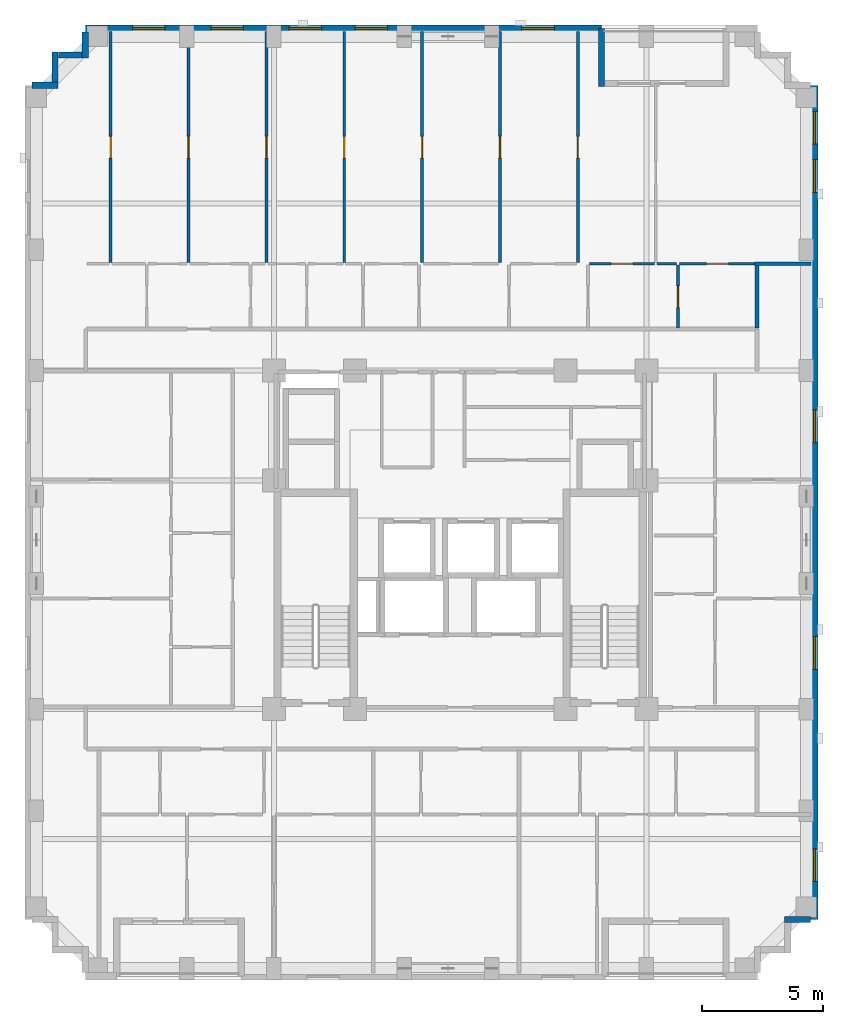
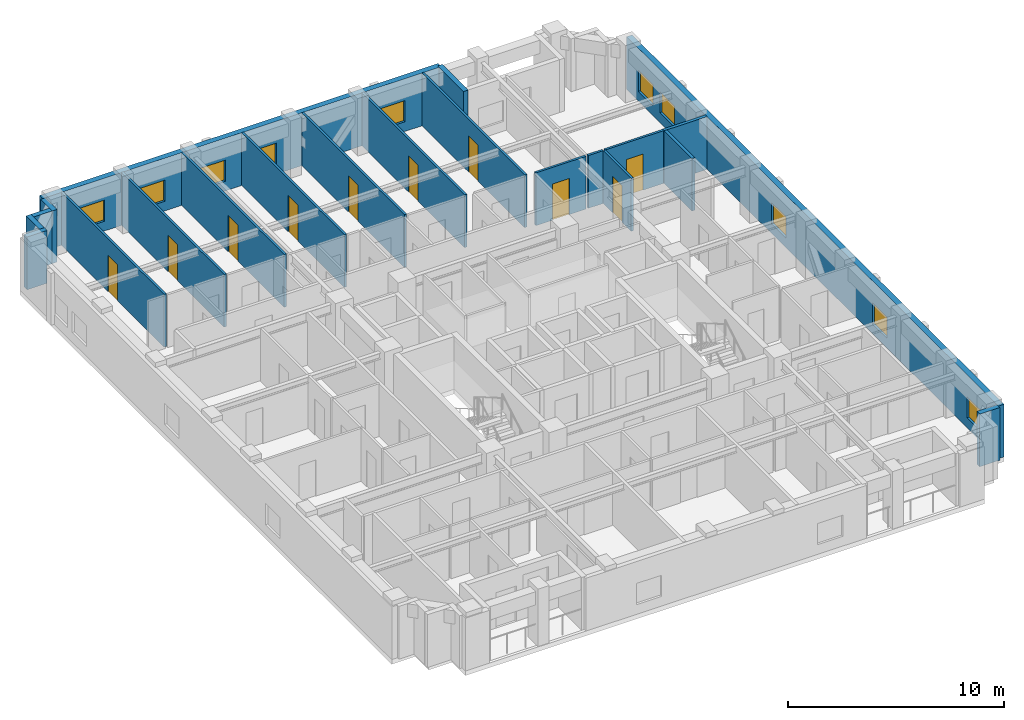
# One storey, part 7 of 11: 21 walls, 10 doors, 10 windows, 20 openings.
"""IFC4 building model written with IfcOpenShell, lengths in metres."""

from ifc_helpers import new_model, si_unit, derived_unit, direction, frame, frame_2d, origin, place, context, subcontext, project, spatial, rectangle, extrude, material, layer, layer_set, type_object, element, fill, save


model = new_model("IFC4")

# Units and contexts
model_context = context("Model", 3, precision=1e-05, world=origin(), true_north=direction((0.0, 1.0)))
body_context = subcontext(model_context, "Body", "Model", "MODEL_VIEW")
ifc_project = project(units=[si_unit("LENGTHUNIT", "METRE"), si_unit("AREAUNIT", "SQUARE_METRE"), si_unit("VOLUMEUNIT", "CUBIC_METRE"), si_unit("PLANEANGLEUNIT", "RADIAN"), si_unit("MASSUNIT", "GRAM", prefix="KILO"), derived_unit("THERMALTRANSMITTANCEUNIT", [(si_unit("MASSUNIT", "GRAM", prefix="KILO"), 1), (si_unit("TIMEUNIT", "SECOND"), -3), (si_unit("THERMODYNAMICTEMPERATUREUNIT", "KELVIN"), -1)])], contexts=[model_context])

# Site, building, storey
site_placement = place(None, origin())
site = spatial("IfcSite", under=ifc_project, at=site_placement, CompositionType="ELEMENT")
building_placement = place(site_placement, origin())
building = spatial("IfcBuilding", under=site, at=building_placement, Name="Korrvale Station Residences", CompositionType="ELEMENT")
storey_placement = place(building_placement, frame((0.0, 0.0, 156.89990234375)))
storey = spatial("IfcBuildingStorey", under=building, at=storey_placement, Name="L45", CompositionType="ELEMENT", Elevation=156.89990234375)

# Walls
ifc_material_1 = material(Name="Precast concrete C45/55", Category="concrete")
ifc_layer_1 = layer(ifc_material_1, 0.260009765625, Name="Precast concrete C45/55")
ifc_layer_set_1 = layer_set([ifc_layer_1], Name="Precast concrete C45/55")
wall_type_1 = type_object("IfcWallType", Name="WAL-EXT-LOG260", PredefinedType="SOLIDWALL", material=ifc_layer_set_1)
wall_1_placement = place(storey_placement, frame((31.35009765625, 43.139892578125, 0.0), z_axis=(0.0, 0.0, 1.0), x_axis=(0.0, -1.0, 0.0)))
element("IfcWall", 1, at=wall_1_placement, inside=storey, type_object=wall_type_1, Name="L45 Recessed Loggia Wall BAL-L45-N1-L", PredefinedType="SOLIDWALL", context=body_context, shape_type="SweptSolid", body=[
    extrude(rectangle(XDim=2.39990234375, YDim=0.260009765625, at=frame_2d((1.199951171875, 0.0))), origin(), (0.0, 0.0, 1.0), 2.989990234375),
])
wall_2_placement = place(storey_placement, frame((7.802001953125, 40.800048828125, 0.0), z_axis=(0.0, 0.0, 1.0), x_axis=(1.0, 0.0, 0.0)))
element("IfcWall", 2, at=wall_2_placement, inside=storey, type_object=wall_type_1, Name="L45 Serrated Corner Precast Step NW-1", PredefinedType="SOLIDWALL", context=body_context, shape_type="SweptSolid", body=[
    extrude(rectangle(XDim=1.077880859375, YDim=0.260009765625, at=frame_2d((0.5390625, 0.0))), origin(), (0.0, 0.0, 1.0), 2.989990234375),
])
wall_3_placement = place(storey_placement, frame((8.75, 40.931884765625, 0.0), z_axis=(0.0, 0.0, 1.0), x_axis=(0.0, 1.0, 0.0)))
element("IfcWall", 3, at=wall_3_placement, inside=storey, type_object=wall_type_1, Name="L45 Serrated Corner Precast Step NW-2", PredefinedType="SOLIDWALL", context=body_context, shape_type="SweptSolid", body=[
    extrude(rectangle(XDim=1.248046875, YDim=0.260009765625, at=frame_2d((0.6240234375, 0.0))), origin(), (0.0, 0.0, 1.0), 2.989990234375),
])
wall_4_placement = place(storey_placement, frame((8.882080078125, 42.050048828125, 0.0), z_axis=(0.0, 0.0, 1.0), x_axis=(1.0, 0.0, 0.0)))
element("IfcWall", 4, at=wall_4_placement, inside=storey, type_object=wall_type_1, Name="L45 Serrated Corner Precast Step NW-3", PredefinedType="SOLIDWALL", context=body_context, shape_type="SweptSolid", body=[
    extrude(rectangle(XDim=0.98583984375, YDim=0.260009765625, at=frame_2d((0.492919921875, 0.0))), origin(), (0.0, 0.0, 1.0), 2.989990234375),
])
for number, where, z_axis, x_axis, name in (
    (5, (10.0, 41.919921875, 0.0), (0.0, 0.0, 1.0), (0.0, 1.0, 0.0), "L45 Serrated Corner Precast Step NW-4"),
    (6, (39.998046875, 6.300048828125, 0.0), (0.0, 0.0, 1.0), (-1.0, 0.0, 0.0), "L45 Serrated Corner Precast Step SE-1"),
):
    element("IfcWall", number, at=place(storey_placement, frame(where, z_axis=z_axis, x_axis=x_axis)), inside=storey, type_object=wall_type_1, Name=name, PredefinedType="SOLIDWALL", context=body_context, shape_type="SweptSolid", body=[
        extrude(rectangle(XDim=1.078125, YDim=0.260009765625, at=frame_2d((0.5390625, 0.0))), origin(), (0.0, 0.0, 1.0), 2.989990234375),
    ])

# Wall, openings, windows
ifc_layer_2 = layer(ifc_material_1, 0.300048828125, Name="Precast concrete C45/55")
ifc_layer_set_2 = layer_set([ifc_layer_2], Name="Precast concrete C45/55")
wall_type_2 = type_object("IfcWallType", Name="WAL-EXT-PC300", PredefinedType="SOLIDWALL", material=ifc_layer_set_2)
wall_5_placement = place(storey_placement, frame((10.0, 43.14990234375, 0.0), z_axis=(0.0, 0.0, 1.0), x_axis=(1.0, 0.0, 0.0)))
wall_5 = element("IfcWall", 7, at=wall_5_placement, inside=storey, type_object=wall_type_2, Name="L45 North Exterior Precast Wall 1", PredefinedType="SOLIDWALL", context=body_context, shape_type="SweptSolid", body=[
    extrude(rectangle(XDim=21.35009765625, YDim=0.300048828125, at=frame_2d((10.675048828125, 0.0))), origin(), (0.0, 0.0, 1.0), 2.989990234375),
])
opening_1_placement = place(wall_5_placement, frame((1.9560546875, 0.0, 0.550048828125)))
opening_1 = element("IfcOpeningElement", 8, at=opening_1_placement, cuts=wall_5, Name="Opening W-10", PredefinedType="OPENING", context=body_context, shape_type="SweptSolid", body=[
    extrude(rectangle(XDim=1.35009765625, YDim=1.199951171875, at=frame_2d((0.675048828125, 0.60009765625))), frame((0.0, 0.16015625, 0.0), z_axis=(0.0, -1.0, 0.0), x_axis=(1.0, 0.0, 0.0)), (0.0, 0.0, 1.0), 0.320068359375),
])
opening_2_placement = place(wall_5_placement, frame((5.18896484375, 0.0, 0.550048828125)))
opening_2 = element("IfcOpeningElement", 9, at=opening_2_placement, cuts=wall_5, Name="Opening W-10", PredefinedType="OPENING", context=body_context, shape_type="SweptSolid", body=[
    extrude(rectangle(XDim=1.35009765625, YDim=1.199951171875, at=frame_2d((0.675048828125, 0.60009765625))), frame((0.0, 0.16015625, 0.0), z_axis=(0.0, -1.0, 0.0), x_axis=(1.0, 0.0, 0.0)), (0.0, 0.0, 1.0), 0.320068359375),
])
opening_3_placement = place(wall_5_placement, frame((8.4208984375, 0.0, 0.550048828125)))
opening_3 = element("IfcOpeningElement", 10, at=opening_3_placement, cuts=wall_5, Name="Opening W-10", PredefinedType="OPENING", context=body_context, shape_type="SweptSolid", body=[
    extrude(rectangle(XDim=1.35009765625, YDim=1.199951171875, at=frame_2d((0.675048828125, 0.60009765625))), frame((0.0, 0.16015625, 0.0), z_axis=(0.0, -1.0, 0.0), x_axis=(1.0, 0.0, 0.0)), (0.0, 0.0, 1.0), 0.320068359375),
])
opening_4_placement = place(wall_5_placement, frame((11.14990234375, 0.0, 0.550048828125)))
opening_4 = element("IfcOpeningElement", 11, at=opening_4_placement, cuts=wall_5, Name="Opening W-10", PredefinedType="OPENING", context=body_context, shape_type="SweptSolid", body=[
    extrude(rectangle(XDim=1.35009765625, YDim=1.199951171875, at=frame_2d((0.675048828125, 0.60009765625))), frame((0.0, 0.16015625, 0.0), z_axis=(0.0, -1.0, 0.0), x_axis=(1.0, 0.0, 0.0)), (0.0, 0.0, 1.0), 0.320068359375),
])
opening_5_placement = place(wall_5_placement, frame((18.0439453125, 0.0, 0.550048828125)))
opening_5 = element("IfcOpeningElement", 12, at=opening_5_placement, cuts=wall_5, Name="Opening W-10", PredefinedType="OPENING", context=body_context, shape_type="SweptSolid", body=[
    extrude(rectangle(XDim=1.35009765625, YDim=1.199951171875, at=frame_2d((0.675048828125, 0.60009765625))), frame((0.0, 0.16015625, 0.0), z_axis=(0.0, -1.0, 0.0), x_axis=(1.0, 0.0, 0.0)), (0.0, 0.0, 1.0), 0.320068359375),
])
ifc_material_2 = material(Name="Thermally broken aluminium frame with triple low-e glazing", Category="aluminium")
window_type = type_object("IfcWindowType", Name="WIN-W10", PartitioningType="SINGLE_PANEL", PredefinedType="WINDOW", material=ifc_material_2)
window_1_placement = place(opening_1_placement, origin())
window_1 = element("IfcWindow", 13, at=window_1_placement, inside=storey, type_object=window_type, Name="L45 Punched Window 08", OverallHeight=1.199951171875, OverallWidth=1.35009765625, PartitioningType="SINGLE_PANEL", PredefinedType="WINDOW", context=body_context, shape_type="SweptSolid", body=[
    extrude(rectangle(XDim=1.35009765625, YDim=1.199951171875, at=frame_2d((0.675048828125, 0.60009765625))), frame((0.0, 0.030029296875, 0.0), z_axis=(0.0, -1.0, 0.0), x_axis=(1.0, 0.0, 0.0)), (0.0, 0.0, 1.0), 0.06005859375),
])
fill(opening_1, window_1)
window_2_placement = place(opening_2_placement, origin())
window_2 = element("IfcWindow", 14, at=window_2_placement, inside=storey, type_object=window_type, Name="L45 Punched Window 09", OverallHeight=1.199951171875, OverallWidth=1.35009765625, PartitioningType="SINGLE_PANEL", PredefinedType="WINDOW", context=body_context, shape_type="SweptSolid", body=[
    extrude(rectangle(XDim=1.35009765625, YDim=1.199951171875, at=frame_2d((0.675048828125, 0.60009765625))), frame((0.0, 0.030029296875, 0.0), z_axis=(0.0, -1.0, 0.0), x_axis=(1.0, 0.0, 0.0)), (0.0, 0.0, 1.0), 0.06005859375),
])
fill(opening_2, window_2)
window_3_placement = place(opening_3_placement, origin())
window_3 = element("IfcWindow", 15, at=window_3_placement, inside=storey, type_object=window_type, Name="L45 Punched Window 10", OverallHeight=1.199951171875, OverallWidth=1.35009765625, PartitioningType="SINGLE_PANEL", PredefinedType="WINDOW", context=body_context, shape_type="SweptSolid", body=[
    extrude(rectangle(XDim=1.35009765625, YDim=1.199951171875, at=frame_2d((0.675048828125, 0.60009765625))), frame((0.0, 0.030029296875, 0.0), z_axis=(0.0, -1.0, 0.0), x_axis=(1.0, 0.0, 0.0)), (0.0, 0.0, 1.0), 0.06005859375),
])
fill(opening_3, window_3)
window_4_placement = place(opening_4_placement, origin())
window_4 = element("IfcWindow", 16, at=window_4_placement, inside=storey, type_object=window_type, Name="L45 Punched Window 11", OverallHeight=1.199951171875, OverallWidth=1.35009765625, PartitioningType="SINGLE_PANEL", PredefinedType="WINDOW", context=body_context, shape_type="SweptSolid", body=[
    extrude(rectangle(XDim=1.35009765625, YDim=1.199951171875, at=frame_2d((0.675048828125, 0.60009765625))), frame((0.0, 0.030029296875, 0.0), z_axis=(0.0, -1.0, 0.0), x_axis=(1.0, 0.0, 0.0)), (0.0, 0.0, 1.0), 0.06005859375),
])
fill(opening_4, window_4)
window_5_placement = place(opening_5_placement, origin())
window_5 = element("IfcWindow", 17, at=window_5_placement, inside=storey, type_object=window_type, Name="L45 Punched Window 12", OverallHeight=1.199951171875, OverallWidth=1.35009765625, PartitioningType="SINGLE_PANEL", PredefinedType="WINDOW", context=body_context, shape_type="SweptSolid", body=[
    extrude(rectangle(XDim=1.35009765625, YDim=1.199951171875, at=frame_2d((0.675048828125, 0.60009765625))), frame((0.0, 0.030029296875, 0.0), z_axis=(0.0, -1.0, 0.0), x_axis=(1.0, 0.0, 0.0)), (0.0, 0.0, 1.0), 0.06005859375),
])
fill(opening_5, window_5)

wall_6_placement = place(storey_placement, frame((40.14990234375, 40.800048828125, 0.0), z_axis=(0.0, 0.0, 1.0), x_axis=(0.0, -1.0, 0.0)))
wall_6 = element("IfcWall", 18, at=wall_6_placement, inside=storey, type_object=wall_type_2, Name="L45 East Exterior Precast Wall 1", PredefinedType="SOLIDWALL", context=body_context, shape_type="SweptSolid", body=[
    extrude(rectangle(XDim=34.5, YDim=0.300048828125, at=frame_2d((17.25, 0.0))), origin(), (0.0, 0.0, 1.0), 2.989990234375),
])
opening_6_placement = place(wall_6_placement, frame((31.574951171875, 0.0, 0.550048828125)))
opening_6 = element("IfcOpeningElement", 19, at=opening_6_placement, cuts=wall_6, Name="Opening W-10", PredefinedType="OPENING", context=body_context, shape_type="SweptSolid", body=[
    extrude(rectangle(XDim=1.35009765625, YDim=1.199951171875, at=frame_2d((0.675048828125, 0.60009765625))), frame((0.0, 0.16015625, 0.0), z_axis=(0.0, -1.0, 0.0), x_axis=(1.0, 0.0, 0.0)), (0.0, 0.0, 1.0), 0.320068359375),
])
opening_7_placement = place(wall_6_placement, frame((3.074951171875, 0.0, 0.550048828125)))
opening_7 = element("IfcOpeningElement", 20, at=opening_7_placement, cuts=wall_6, Name="Opening W-10", PredefinedType="OPENING", context=body_context, shape_type="SweptSolid", body=[
    extrude(rectangle(XDim=1.35009765625, YDim=1.199951171875, at=frame_2d((0.675048828125, 0.60009765625))), frame((0.0, 0.16015625, 0.0), z_axis=(0.0, -1.0, 0.0), x_axis=(1.0, 0.0, 0.0)), (0.0, 0.0, 1.0), 0.320068359375),
])
opening_8_placement = place(wall_6_placement, frame((1.0849609375, 0.0, 0.550048828125)))
opening_8 = element("IfcOpeningElement", 21, at=opening_8_placement, cuts=wall_6, Name="Opening W-10", PredefinedType="OPENING", context=body_context, shape_type="SweptSolid", body=[
    extrude(rectangle(XDim=1.35009765625, YDim=1.199951171875, at=frame_2d((0.675048828125, 0.60009765625))), frame((0.0, 0.16015625, 0.0), z_axis=(0.0, -1.0, 0.0), x_axis=(1.0, 0.0, 0.0)), (0.0, 0.0, 1.0), 0.320068359375),
])
opening_9_placement = place(wall_6_placement, frame((22.800048828125, 0.0, 0.550048828125)))
opening_9 = element("IfcOpeningElement", 22, at=opening_9_placement, cuts=wall_6, Name="Opening W-10", PredefinedType="OPENING", context=body_context, shape_type="SweptSolid", body=[
    extrude(rectangle(XDim=1.35009765625, YDim=1.199951171875, at=frame_2d((0.675048828125, 0.60009765625))), frame((0.0, 0.16015625, 0.0), z_axis=(0.0, -1.0, 0.0), x_axis=(1.0, 0.0, 0.0)), (0.0, 0.0, 1.0), 0.320068359375),
])
opening_10_placement = place(wall_6_placement, frame((13.425048828125, 0.0, 0.550048828125)))
opening_10 = element("IfcOpeningElement", 23, at=opening_10_placement, cuts=wall_6, Name="Opening W-10", PredefinedType="OPENING", context=body_context, shape_type="SweptSolid", body=[
    extrude(rectangle(XDim=1.35009765625, YDim=1.199951171875, at=frame_2d((0.675048828125, 0.60009765625))), frame((0.0, 0.16015625, 0.0), z_axis=(0.0, -1.0, 0.0), x_axis=(1.0, 0.0, 0.0)), (0.0, 0.0, 1.0), 0.320068359375),
])
window_6_placement = place(opening_6_placement, origin())
window_6 = element("IfcWindow", 24, at=window_6_placement, inside=storey, type_object=window_type, Name="L45 Punched Window 05", OverallHeight=1.199951171875, OverallWidth=1.35009765625, PartitioningType="SINGLE_PANEL", PredefinedType="WINDOW", context=body_context, shape_type="SweptSolid", body=[
    extrude(rectangle(XDim=1.35009765625, YDim=1.199951171875, at=frame_2d((0.675048828125, 0.60009765625))), frame((0.0, 0.030029296875, 0.0), z_axis=(0.0, -1.0, 0.0), x_axis=(1.0, 0.0, 0.0)), (0.0, 0.0, 1.0), 0.06005859375),
])
fill(opening_6, window_6)
window_7_placement = place(opening_7_placement, origin())
window_7 = element("IfcWindow", 25, at=window_7_placement, inside=storey, type_object=window_type, Name="L45 Punched Window 14", OverallHeight=1.199951171875, OverallWidth=1.35009765625, PartitioningType="SINGLE_PANEL", PredefinedType="WINDOW", context=body_context, shape_type="SweptSolid", body=[
    extrude(rectangle(XDim=1.35009765625, YDim=1.199951171875, at=frame_2d((0.675048828125, 0.60009765625))), frame((0.0, 0.030029296875, 0.0), z_axis=(0.0, -1.0, 0.0), x_axis=(1.0, 0.0, 0.0)), (0.0, 0.0, 1.0), 0.06005859375),
])
fill(opening_7, window_7)
window_8_placement = place(opening_8_placement, origin())
window_8 = element("IfcWindow", 26, at=window_8_placement, inside=storey, type_object=window_type, Name="L45 Punched Window 15", OverallHeight=1.199951171875, OverallWidth=1.35009765625, PartitioningType="SINGLE_PANEL", PredefinedType="WINDOW", context=body_context, shape_type="SweptSolid", body=[
    extrude(rectangle(XDim=1.35009765625, YDim=1.199951171875, at=frame_2d((0.675048828125, 0.60009765625))), frame((0.0, 0.030029296875, 0.0), z_axis=(0.0, -1.0, 0.0), x_axis=(1.0, 0.0, 0.0)), (0.0, 0.0, 1.0), 0.06005859375),
])
fill(opening_8, window_8)
window_9_placement = place(opening_9_placement, origin())
window_9 = element("IfcWindow", 27, at=window_9_placement, inside=storey, type_object=window_type, Name="L45 Punched Window 18", OverallHeight=1.199951171875, OverallWidth=1.35009765625, PartitioningType="SINGLE_PANEL", PredefinedType="WINDOW", context=body_context, shape_type="SweptSolid", body=[
    extrude(rectangle(XDim=1.35009765625, YDim=1.199951171875, at=frame_2d((0.675048828125, 0.60009765625))), frame((0.0, 0.030029296875, 0.0), z_axis=(0.0, -1.0, 0.0), x_axis=(1.0, 0.0, 0.0)), (0.0, 0.0, 1.0), 0.06005859375),
])
fill(opening_9, window_9)
window_10_placement = place(opening_10_placement, origin())
window_10 = element("IfcWindow", 28, at=window_10_placement, inside=storey, type_object=window_type, Name="L45 Punched Window 19", OverallHeight=1.199951171875, OverallWidth=1.35009765625, PartitioningType="SINGLE_PANEL", PredefinedType="WINDOW", context=body_context, shape_type="SweptSolid", body=[
    extrude(rectangle(XDim=1.35009765625, YDim=1.199951171875, at=frame_2d((0.675048828125, 0.60009765625))), frame((0.0, 0.030029296875, 0.0), z_axis=(0.0, -1.0, 0.0), x_axis=(1.0, 0.0, 0.0)), (0.0, 0.0, 1.0), 0.06005859375),
])
fill(opening_10, window_10)

# Wall, opening, door
ifc_material_3 = material(Name="Acoustic steel-stud gypsum board partition", Category="steel")
ifc_layer_3 = layer(ifc_material_3, 0.1201171875, Name="Acoustic steel-stud gypsum board partition")
ifc_layer_set_3 = layer_set([ifc_layer_3], Name="Acoustic steel-stud gypsum board partition")
wall_type_3 = type_object("IfcWallType", Name="WAL-PART-125", PredefinedType="PARTITIONING", material=ifc_layer_set_3)
wall_7_placement = place(storey_placement, frame((34.510009765625, 30.760009765625, 0.0), z_axis=(0.0, 0.0, 1.0), x_axis=(0.0, 1.0, 0.0)))
wall_7 = element("IfcWall", 29, at=wall_7_placement, inside=storey, type_object=wall_type_3, Name="L45 Suite Partition U04-V78", PredefinedType="PARTITIONING", context=body_context, shape_type="SweptSolid", body=[
    extrude(rectangle(XDim=2.60009765625, YDim=0.1201171875, at=frame_2d((1.300048828125, 0.0))), origin(), (0.0, 0.0, 1.0), 2.989990234375),
])
opening_11_placement = place(wall_7_placement, frame((0.85009765625, 0.0, 0.0)))
opening_11 = element("IfcOpeningElement", 30, at=opening_11_placement, cuts=wall_7, Name="Opening DI-900", PredefinedType="OPENING", context=body_context, shape_type="SweptSolid", body=[
    extrude(rectangle(XDim=0.89990234375, YDim=2.050048828125, at=frame_2d((0.449951171875, 1.02490234375))), frame((0.0, 0.070068359375, 0.0), z_axis=(0.0, -1.0, 0.0), x_axis=(1.0, 0.0, 0.0)), (0.0, 0.0, 1.0), 0.14013671875),
])
ifc_material_4 = material(Name="Painted solid-core timber interior room door", Category="wood")
door_type = type_object("IfcDoorType", Name="DR-INT-900", OperationType="NOTDEFINED", PredefinedType="DOOR", material=ifc_material_4)
door_1_placement = place(opening_11_placement, origin())
door_1 = element("IfcDoor", 31, at=door_1_placement, inside=storey, type_object=door_type, Name="L45 Studio Apartment L45-U04 Storage Closet 3 Door", OperationType="SINGLE_SWING_RIGHT", OverallHeight=2.050048828125, OverallWidth=0.89990234375, PredefinedType="DOOR", context=body_context, shape_type="SweptSolid", body=[
    extrude(rectangle(XDim=0.89990234375, YDim=2.050048828125, at=frame_2d((0.449951171875, 1.02490234375))), frame((0.0, 0.02490234375, 0.0), z_axis=(0.0, -1.0, 0.0), x_axis=(1.0, 0.0, 0.0)), (0.0, 0.0, 1.0), 0.050048828125),
])
fill(opening_11, door_1)

wall_8_placement = place(storey_placement, frame((30.85009765625, 33.419921875, 0.0), z_axis=(0.0, 0.0, 1.0), x_axis=(1.0, 0.0, 0.0)))
wall_8 = element("IfcWall", 32, at=wall_8_placement, inside=storey, type_object=wall_type_3, Name="L45 Suite Partition U04-H716", PredefinedType="PARTITIONING", context=body_context, shape_type="SweptSolid", body=[
    extrude(rectangle(XDim=2.679931640625, YDim=0.1201171875, at=frame_2d((1.33984375, 0.0))), origin(), (0.0, 0.0, 1.0), 2.989990234375),
])
opening_12_placement = place(wall_8_placement, frame((0.889892578125, 0.0, 0.0)))
opening_12 = element("IfcOpeningElement", 33, at=opening_12_placement, cuts=wall_8, Name="Opening DI-900", PredefinedType="OPENING", context=body_context, shape_type="SweptSolid", body=[
    extrude(rectangle(XDim=0.89990234375, YDim=2.050048828125, at=frame_2d((0.449951171875, 1.02490234375))), frame((0.0, 0.070068359375, 0.0), z_axis=(0.0, -1.0, 0.0), x_axis=(1.0, 0.0, 0.0)), (0.0, 0.0, 1.0), 0.14013671875),
])
door_2_placement = place(opening_12_placement, origin())
door_2 = element("IfcDoor", 34, at=door_2_placement, inside=storey, type_object=door_type, Name="L45 Studio Apartment L45-U04 Storage Closet 3 Door", OperationType="SINGLE_SWING_LEFT", OverallHeight=2.050048828125, OverallWidth=0.89990234375, PredefinedType="DOOR", context=body_context, shape_type="SweptSolid", body=[
    extrude(rectangle(XDim=0.89990234375, YDim=2.050048828125, at=frame_2d((0.449951171875, 1.02490234375))), frame((0.0, 0.02490234375, 0.0), z_axis=(0.0, -1.0, 0.0), x_axis=(1.0, 0.0, 0.0)), (0.0, 0.0, 1.0), 0.050048828125),
])
fill(opening_12, door_2)

# Wall
wall_9_placement = place(storey_placement, frame((33.64990234375, 33.419921875, 0.0), z_axis=(0.0, 0.0, 1.0), x_axis=(1.0, 0.0, 0.0)))
element("IfcWall", 35, at=wall_9_placement, inside=storey, type_object=wall_type_3, Name="L45 Suite Partition U04-H717", PredefinedType="PARTITIONING", context=body_context, shape_type="SweptSolid", body=[
    extrude(rectangle(XDim=0.800048828125, YDim=0.1201171875, at=frame_2d((0.39990234375, 0.0))), origin(), (0.0, 0.0, 1.0), 2.989990234375),
])

# Wall, opening, door
wall_10_placement = place(storey_placement, frame((34.570068359375, 33.419921875, 0.0), z_axis=(0.0, 0.0, 1.0), x_axis=(1.0, 0.0, 0.0)))
wall_10 = element("IfcWall", 36, at=wall_10_placement, inside=storey, type_object=wall_type_3, Name="L45 Suite Partition U04-H817", PredefinedType="PARTITIONING", context=body_context, shape_type="SweptSolid", body=[
    extrude(rectangle(XDim=3.14990234375, YDim=0.1201171875, at=frame_2d((1.574951171875, 0.0))), origin(), (0.0, 0.0, 1.0), 2.989990234375),
])
opening_13_placement = place(wall_10_placement, frame((1.125, 0.0, 0.0)))
opening_13 = element("IfcOpeningElement", 37, at=opening_13_placement, cuts=wall_10, Name="Opening DI-900", PredefinedType="OPENING", context=body_context, shape_type="SweptSolid", body=[
    extrude(rectangle(XDim=0.89990234375, YDim=2.050048828125, at=frame_2d((0.449951171875, 1.02490234375))), frame((0.0, 0.070068359375, 0.0), z_axis=(0.0, -1.0, 0.0), x_axis=(1.0, 0.0, 0.0)), (0.0, 0.0, 1.0), 0.14013671875),
])
door_3_placement = place(opening_13_placement, origin())
door_3 = element("IfcDoor", 38, at=door_3_placement, inside=storey, type_object=door_type, Name="L45 Studio Apartment L45-U04 Storage Closet 4 Door", OperationType="SINGLE_SWING_RIGHT", OverallHeight=2.050048828125, OverallWidth=0.89990234375, PredefinedType="DOOR", context=body_context, shape_type="SweptSolid", body=[
    extrude(rectangle(XDim=0.89990234375, YDim=2.050048828125, at=frame_2d((0.449951171875, 1.02490234375))), frame((0.0, 0.02490234375, 0.0), z_axis=(0.0, -1.0, 0.0), x_axis=(1.0, 0.0, 0.0)), (0.0, 0.0, 1.0), 0.050048828125),
])
fill(opening_13, door_3)

wall_11_placement = place(storey_placement, frame((11.050048828125, 33.47998046875, 0.0), z_axis=(0.0, 0.0, 1.0), x_axis=(0.0, 1.0, 0.0)))
wall_11 = element("IfcWall", 39, at=wall_11_placement, inside=storey, type_object=wall_type_3, Name="L45 Suite Partition U04-V910", PredefinedType="PARTITIONING", context=body_context, shape_type="SweptSolid", body=[
    extrude(rectangle(XDim=9.5400390625, YDim=0.1201171875, at=frame_2d((4.77001953125, 0.0))), origin(), (0.0, 0.0, 1.0), 2.989990234375),
])
opening_14_placement = place(wall_11_placement, frame((4.304931640625, 0.0, 0.0)))
opening_14 = element("IfcOpeningElement", 40, at=opening_14_placement, cuts=wall_11, Name="Opening DI-900", PredefinedType="OPENING", context=body_context, shape_type="SweptSolid", body=[
    extrude(rectangle(XDim=0.89990234375, YDim=2.050048828125, at=frame_2d((0.449951171875, 1.02490234375))), frame((0.0, 0.070068359375, 0.0), z_axis=(0.0, -1.0, 0.0), x_axis=(1.0, 0.0, 0.0)), (0.0, 0.0, 1.0), 0.14013671875),
])
door_4_placement = place(opening_14_placement, origin())
door_4 = element("IfcDoor", 41, at=door_4_placement, inside=storey, type_object=door_type, Name="L45 Studio Apartment L45-U04 Walk-In Wardrobe Door", OperationType="SINGLE_SWING_LEFT", OverallHeight=2.050048828125, OverallWidth=0.89990234375, PredefinedType="DOOR", context=body_context, shape_type="SweptSolid", body=[
    extrude(rectangle(XDim=0.89990234375, YDim=2.050048828125, at=frame_2d((0.449951171875, 1.02490234375))), frame((0.0, 0.02490234375, 0.0), z_axis=(0.0, -1.0, 0.0), x_axis=(1.0, 0.0, 0.0)), (0.0, 0.0, 1.0), 0.050048828125),
])
fill(opening_14, door_4)

wall_12_placement = place(storey_placement, frame((14.27001953125, 33.47998046875, 0.0), z_axis=(0.0, 0.0, 1.0), x_axis=(0.0, 1.0, 0.0)))
wall_12 = element("IfcWall", 42, at=wall_12_placement, inside=storey, type_object=wall_type_3, Name="L45 Suite Partition U04-V1011", PredefinedType="PARTITIONING", context=body_context, shape_type="SweptSolid", body=[
    extrude(rectangle(XDim=9.5400390625, YDim=0.1201171875, at=frame_2d((4.77001953125, 0.0))), origin(), (0.0, 0.0, 1.0), 2.989990234375),
])
opening_15_placement = place(wall_12_placement, frame((4.304931640625, 0.0, 0.0)))
opening_15 = element("IfcOpeningElement", 43, at=opening_15_placement, cuts=wall_12, Name="Opening DI-900", PredefinedType="OPENING", context=body_context, shape_type="SweptSolid", body=[
    extrude(rectangle(XDim=0.89990234375, YDim=2.050048828125, at=frame_2d((0.449951171875, 1.02490234375))), frame((0.0, 0.070068359375, 0.0), z_axis=(0.0, -1.0, 0.0), x_axis=(1.0, 0.0, 0.0)), (0.0, 0.0, 1.0), 0.14013671875),
])
door_5_placement = place(opening_15_placement, origin())
door_5 = element("IfcDoor", 44, at=door_5_placement, inside=storey, type_object=door_type, Name="L45 Studio Apartment L45-U04 Formal Dining Room Door", OperationType="SINGLE_SWING_RIGHT", OverallHeight=2.050048828125, OverallWidth=0.89990234375, PredefinedType="DOOR", context=body_context, shape_type="SweptSolid", body=[
    extrude(rectangle(XDim=0.89990234375, YDim=2.050048828125, at=frame_2d((0.449951171875, 1.02490234375))), frame((0.0, 0.02490234375, 0.0), z_axis=(0.0, -1.0, 0.0), x_axis=(1.0, 0.0, 0.0)), (0.0, 0.0, 1.0), 0.050048828125),
])
fill(opening_15, door_5)

wall_13_placement = place(storey_placement, frame((17.489990234375, 33.47998046875, 0.0), z_axis=(0.0, 0.0, 1.0), x_axis=(0.0, 1.0, 0.0)))
wall_13 = element("IfcWall", 45, at=wall_13_placement, inside=storey, type_object=wall_type_3, Name="L45 Suite Partition U04-V1112", PredefinedType="PARTITIONING", context=body_context, shape_type="SweptSolid", body=[
    extrude(rectangle(XDim=9.5400390625, YDim=0.1201171875, at=frame_2d((4.77001953125, 0.0))), origin(), (0.0, 0.0, 1.0), 2.989990234375),
])
opening_16_placement = place(wall_13_placement, frame((4.304931640625, 0.0, 0.0)))
opening_16 = element("IfcOpeningElement", 46, at=opening_16_placement, cuts=wall_13, Name="Opening DI-900", PredefinedType="OPENING", context=body_context, shape_type="SweptSolid", body=[
    extrude(rectangle(XDim=0.89990234375, YDim=2.050048828125, at=frame_2d((0.449951171875, 1.02490234375))), frame((0.0, 0.070068359375, 0.0), z_axis=(0.0, -1.0, 0.0), x_axis=(1.0, 0.0, 0.0)), (0.0, 0.0, 1.0), 0.14013671875),
])
door_6_placement = place(opening_16_placement, origin())
door_6 = element("IfcDoor", 47, at=door_6_placement, inside=storey, type_object=door_type, Name="L45 Studio Apartment L45-U04 Formal Dining Room Door", OperationType="SINGLE_SWING_LEFT", OverallHeight=2.050048828125, OverallWidth=0.89990234375, PredefinedType="DOOR", context=body_context, shape_type="SweptSolid", body=[
    extrude(rectangle(XDim=0.89990234375, YDim=2.050048828125, at=frame_2d((0.449951171875, 1.02490234375))), frame((0.0, 0.02490234375, 0.0), z_axis=(0.0, -1.0, 0.0), x_axis=(1.0, 0.0, 0.0)), (0.0, 0.0, 1.0), 0.050048828125),
])
fill(opening_16, door_6)

wall_14_placement = place(storey_placement, frame((20.7099609375, 33.47998046875, 0.0), z_axis=(0.0, 0.0, 1.0), x_axis=(0.0, 1.0, 0.0)))
wall_14 = element("IfcWall", 48, at=wall_14_placement, inside=storey, type_object=wall_type_3, Name="L45 Suite Partition U04-V1213", PredefinedType="PARTITIONING", context=body_context, shape_type="SweptSolid", body=[
    extrude(rectangle(XDim=9.5400390625, YDim=0.1201171875, at=frame_2d((4.77001953125, 0.0))), origin(), (0.0, 0.0, 1.0), 2.989990234375),
])
opening_17_placement = place(wall_14_placement, frame((4.304931640625, 0.0, 0.0)))
opening_17 = element("IfcOpeningElement", 49, at=opening_17_placement, cuts=wall_14, Name="Opening DI-900", PredefinedType="OPENING", context=body_context, shape_type="SweptSolid", body=[
    extrude(rectangle(XDim=0.89990234375, YDim=2.050048828125, at=frame_2d((0.449951171875, 1.02490234375))), frame((0.0, 0.070068359375, 0.0), z_axis=(0.0, -1.0, 0.0), x_axis=(1.0, 0.0, 0.0)), (0.0, 0.0, 1.0), 0.14013671875),
])
door_7_placement = place(opening_17_placement, origin())
door_7 = element("IfcDoor", 50, at=door_7_placement, inside=storey, type_object=door_type, Name="L45 Studio Apartment L45-U04 Formal Dining Room Door", OperationType="SINGLE_SWING_RIGHT", OverallHeight=2.050048828125, OverallWidth=0.89990234375, PredefinedType="DOOR", context=body_context, shape_type="SweptSolid", body=[
    extrude(rectangle(XDim=0.89990234375, YDim=2.050048828125, at=frame_2d((0.449951171875, 1.02490234375))), frame((0.0, 0.02490234375, 0.0), z_axis=(0.0, -1.0, 0.0), x_axis=(1.0, 0.0, 0.0)), (0.0, 0.0, 1.0), 0.050048828125),
])
fill(opening_17, door_7)

wall_15_placement = place(storey_placement, frame((23.929931640625, 33.47998046875, 0.0), z_axis=(0.0, 0.0, 1.0), x_axis=(0.0, 1.0, 0.0)))
wall_15 = element("IfcWall", 51, at=wall_15_placement, inside=storey, type_object=wall_type_3, Name="L45 Suite Partition U04-V1314", PredefinedType="PARTITIONING", context=body_context, shape_type="SweptSolid", body=[
    extrude(rectangle(XDim=9.5400390625, YDim=0.1201171875, at=frame_2d((4.77001953125, 0.0))), origin(), (0.0, 0.0, 1.0), 2.989990234375),
])
opening_18_placement = place(wall_15_placement, frame((4.304931640625, 0.0, 0.0)))
opening_18 = element("IfcOpeningElement", 52, at=opening_18_placement, cuts=wall_15, Name="Opening DI-900", PredefinedType="OPENING", context=body_context, shape_type="SweptSolid", body=[
    extrude(rectangle(XDim=0.89990234375, YDim=2.050048828125, at=frame_2d((0.449951171875, 1.02490234375))), frame((0.0, 0.070068359375, 0.0), z_axis=(0.0, -1.0, 0.0), x_axis=(1.0, 0.0, 0.0)), (0.0, 0.0, 1.0), 0.14013671875),
])
door_8_placement = place(opening_18_placement, origin())
door_8 = element("IfcDoor", 53, at=door_8_placement, inside=storey, type_object=door_type, Name="L45 Studio Apartment L45-U04 Formal Dining Room Door", OperationType="SINGLE_SWING_LEFT", OverallHeight=2.050048828125, OverallWidth=0.89990234375, PredefinedType="DOOR", context=body_context, shape_type="SweptSolid", body=[
    extrude(rectangle(XDim=0.89990234375, YDim=2.050048828125, at=frame_2d((0.449951171875, 1.02490234375))), frame((0.0, 0.02490234375, 0.0), z_axis=(0.0, -1.0, 0.0), x_axis=(1.0, 0.0, 0.0)), (0.0, 0.0, 1.0), 0.050048828125),
])
fill(opening_18, door_8)

wall_16_placement = place(storey_placement, frame((27.14990234375, 33.47998046875, 0.0), z_axis=(0.0, 0.0, 1.0), x_axis=(0.0, 1.0, 0.0)))
wall_16 = element("IfcWall", 54, at=wall_16_placement, inside=storey, type_object=wall_type_3, Name="L45 Suite Partition U04-V1415", PredefinedType="PARTITIONING", context=body_context, shape_type="SweptSolid", body=[
    extrude(rectangle(XDim=9.5400390625, YDim=0.1201171875, at=frame_2d((4.77001953125, 0.0))), origin(), (0.0, 0.0, 1.0), 2.989990234375),
])
opening_19_placement = place(wall_16_placement, frame((4.304931640625, 0.0, 0.0)))
opening_19 = element("IfcOpeningElement", 55, at=opening_19_placement, cuts=wall_16, Name="Opening DI-900", PredefinedType="OPENING", context=body_context, shape_type="SweptSolid", body=[
    extrude(rectangle(XDim=0.89990234375, YDim=2.050048828125, at=frame_2d((0.449951171875, 1.02490234375))), frame((0.0, 0.070068359375, 0.0), z_axis=(0.0, -1.0, 0.0), x_axis=(1.0, 0.0, 0.0)), (0.0, 0.0, 1.0), 0.14013671875),
])
door_9_placement = place(opening_19_placement, origin())
door_9 = element("IfcDoor", 56, at=door_9_placement, inside=storey, type_object=door_type, Name="L45 Studio Apartment L45-U04 Walk-In Wardrobe Door", OperationType="SINGLE_SWING_RIGHT", OverallHeight=2.050048828125, OverallWidth=0.89990234375, PredefinedType="DOOR", context=body_context, shape_type="SweptSolid", body=[
    extrude(rectangle(XDim=0.89990234375, YDim=2.050048828125, at=frame_2d((0.449951171875, 1.02490234375))), frame((0.0, 0.02490234375, 0.0), z_axis=(0.0, -1.0, 0.0), x_axis=(1.0, 0.0, 0.0)), (0.0, 0.0, 1.0), 0.050048828125),
])
fill(opening_19, door_9)

wall_17_placement = place(storey_placement, frame((30.3701171875, 33.47998046875, 0.0), z_axis=(0.0, 0.0, 1.0), x_axis=(0.0, 1.0, 0.0)))
wall_17 = element("IfcWall", 57, at=wall_17_placement, inside=storey, type_object=wall_type_3, Name="L45 Suite Partition U04-V1516", PredefinedType="PARTITIONING", context=body_context, shape_type="SweptSolid", body=[
    extrude(rectangle(XDim=9.5400390625, YDim=0.1201171875, at=frame_2d((4.77001953125, 0.0))), origin(), (0.0, 0.0, 1.0), 2.989990234375),
])
opening_20_placement = place(wall_17_placement, frame((4.304931640625, 0.0, 0.0)))
opening_20 = element("IfcOpeningElement", 58, at=opening_20_placement, cuts=wall_17, Name="Opening DI-900", PredefinedType="OPENING", context=body_context, shape_type="SweptSolid", body=[
    extrude(rectangle(XDim=0.89990234375, YDim=2.050048828125, at=frame_2d((0.449951171875, 1.02490234375))), frame((0.0, 0.070068359375, 0.0), z_axis=(0.0, -1.0, 0.0), x_axis=(1.0, 0.0, 0.0)), (0.0, 0.0, 1.0), 0.14013671875),
])
door_10_placement = place(opening_20_placement, origin())
door_10 = element("IfcDoor", 59, at=door_10_placement, inside=storey, type_object=door_type, Name="L45 Studio Apartment L45-U04 Formal Dining Room Door", OperationType="SINGLE_SWING_LEFT", OverallHeight=2.050048828125, OverallWidth=0.89990234375, PredefinedType="DOOR", context=body_context, shape_type="SweptSolid", body=[
    extrude(rectangle(XDim=0.89990234375, YDim=2.050048828125, at=frame_2d((0.449951171875, 1.02490234375))), frame((0.0, 0.02490234375, 0.0), z_axis=(0.0, -1.0, 0.0), x_axis=(1.0, 0.0, 0.0)), (0.0, 0.0, 1.0), 0.050048828125),
])
fill(opening_20, door_10)

# Walls
ifc_material_5 = material(Name="Fire-rated twin-stud gypsum and mineral wool shaftwall assembly", Category="gypsum")
ifc_layer_4 = layer(ifc_material_5, 0.159912109375, Name="Fire-rated twin-stud gypsum and mineral wool shaftwall assembly")
ifc_layer_set_4 = layer_set([ifc_layer_4], Name="Fire-rated twin-stud gypsum and mineral wool shaftwall assembly")
wall_type_4 = type_object("IfcWallType", Name="WAL-PART-200", PredefinedType="PARTITIONING", material=ifc_layer_set_4)
wall_18_placement = place(storey_placement, frame((37.679931640625, 33.419921875, 0.0), z_axis=(0.0, 0.0, 1.0), x_axis=(1.0, 0.0, 0.0)))
element("IfcWall", 60, at=wall_18_placement, inside=storey, type_object=wall_type_4, Name="L45 Corner Step Wall U04-R", PredefinedType="PARTITIONING", context=body_context, shape_type="SweptSolid", body=[
    extrude(rectangle(XDim=2.340087890625, YDim=0.159912109375, at=frame_2d((1.169921875, 0.0))), origin(), (0.0, 0.0, 1.0), 2.989990234375),
])
wall_19_placement = place(storey_placement, frame((37.780029296875, 30.760009765625, 0.0), z_axis=(0.0, 0.0, 1.0), x_axis=(0.0, 1.0, 0.0)))
element("IfcWall", 61, at=wall_19_placement, inside=storey, type_object=wall_type_4, Name="L45 Corner Step Cheek U04-R", PredefinedType="PARTITIONING", context=body_context, shape_type="SweptSolid", body=[
    extrude(rectangle(XDim=2.659912109375, YDim=0.159912109375, at=frame_2d((1.330078125, 0.0))), origin(), (0.0, 0.0, 1.0), 2.989990234375),
])

save(model, "model.ifc")
